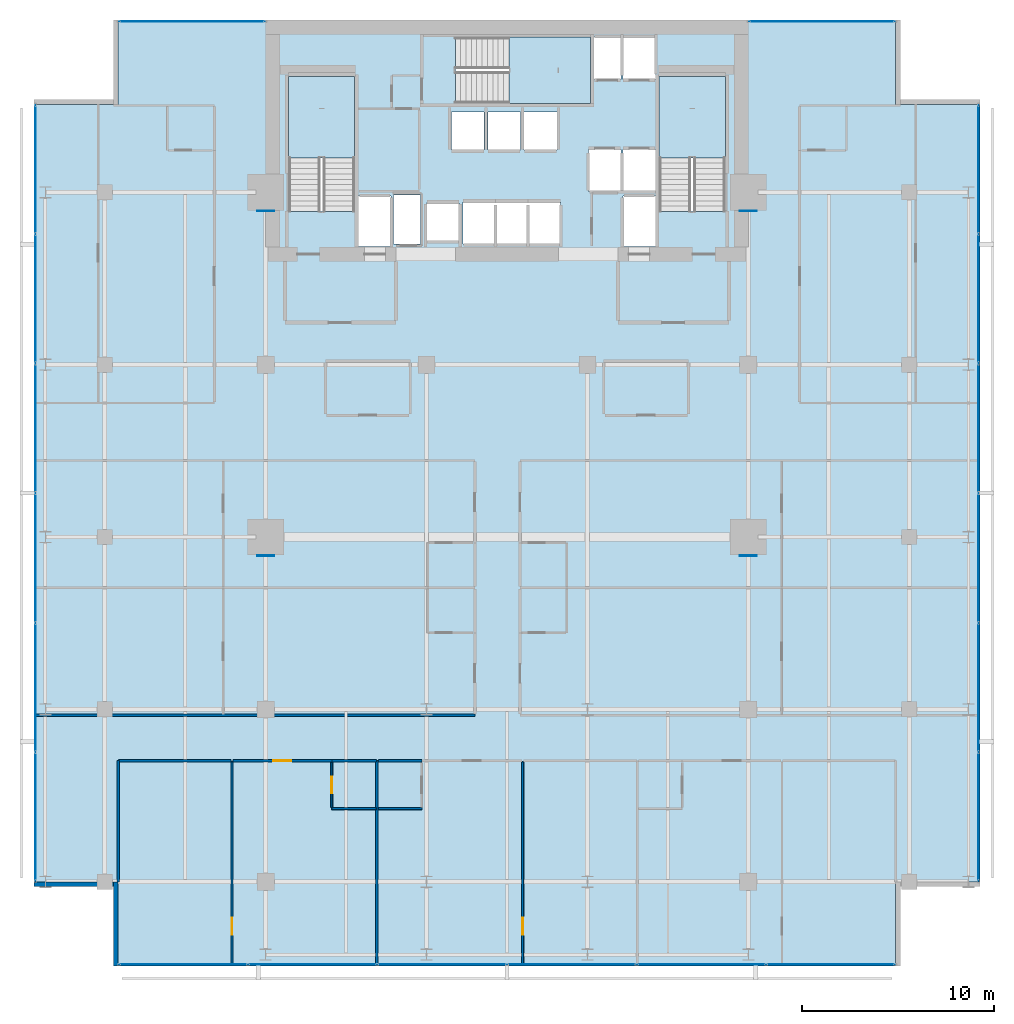
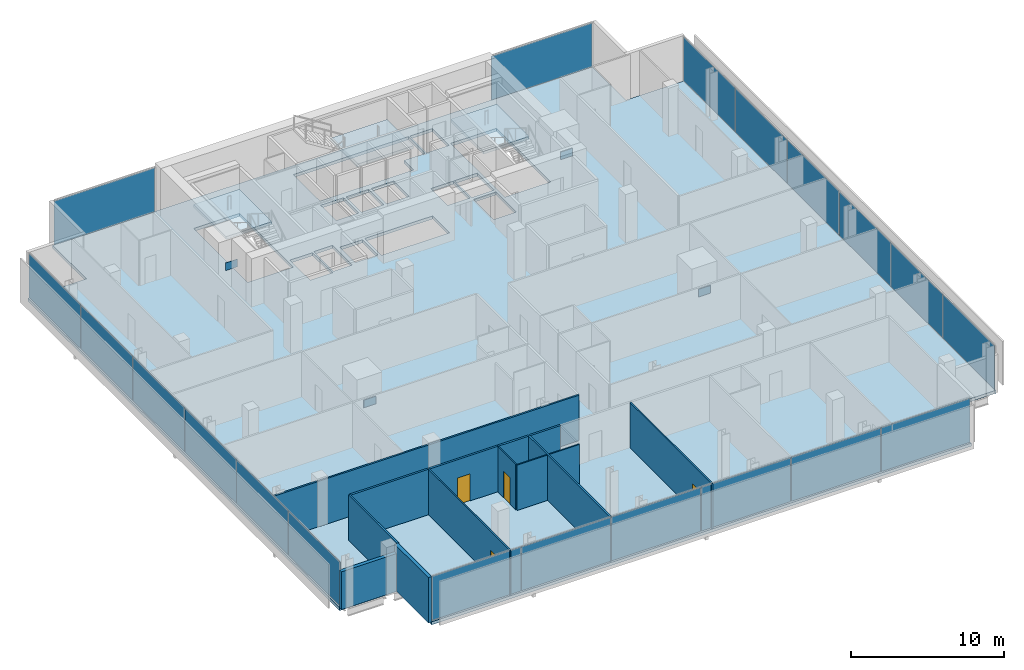
# One storey, part 26 of 32: 24 plates, 14 walls, 4 doors, 4 slabs, 4 openings, 8 elements without a shape of their own.
"""IFC4 building model written with IfcOpenShell, lengths in metres."""

from ifc_helpers import new_model, si_unit, direction, frame, frame_2d, origin, origin_2d, place, context, subcontext, project, spatial, polyline, rectangle, outline, extrude, material, layer, layer_set, type_object, element, fill, aggregate, save


model = new_model("IFC4")

# Units and contexts
model_context = context("Model", 3, precision=1e-05, world=origin(), true_north=direction((0.0, 1.0)))
body_context = subcontext(model_context, "Body", "Model", "MODEL_VIEW")
ifc_project = project(units=[si_unit("LENGTHUNIT", "METRE"), si_unit("AREAUNIT", "SQUARE_METRE"), si_unit("VOLUMEUNIT", "CUBIC_METRE"), si_unit("PLANEANGLEUNIT", "RADIAN"), si_unit("MASSUNIT", "GRAM", prefix="KILO")], contexts=[model_context])

# Site, building, storey
site_placement = place(None, origin())
site = spatial("IfcSite", under=ifc_project, at=site_placement, CompositionType="ELEMENT")
building_placement = place(site_placement, origin())
building = spatial("IfcBuilding", under=site, at=building_placement, Name="Maruvema Waterfront Hotel and Observation Tower", CompositionType="ELEMENT")
storey_placement = place(building_placement, frame((0.0, 0.0, 165.89990234375)))
storey = spatial("IfcBuildingStorey", under=building, at=storey_placement, Name="L40", CompositionType="ELEMENT", Elevation=165.89990234375)

# Slab
ifc_material_1 = material(Name="Concrete C50/60", Category="concrete")
ifc_layer_1 = layer(ifc_material_1, 0.239990234375, Name="Reinforced Concrete Floor Slab 240 mm")
ifc_layer_set_1 = layer_set([ifc_layer_1], Name="Concrete C50/60")
slab_type_1 = type_object("IfcSlabType", Name="Reinforced Concrete Floor Slab 240 mm", PredefinedType="FLOOR", material=ifc_layer_set_1)
slab_1_placement = place(storey_placement, frame((0.0, 0.0, -0.239990234375)))
element("IfcSlab", 1, at=slab_1_placement, inside=storey, type_object=slab_type_1, Name="L40 Structural Floor Slab", PredefinedType="FLOOR", context=body_context, shape_type="SweptSolid", body=[
    extrude(outline(polyline([(17.5, 4.60009765625), (58.10009765625, 4.60009765625), (58.10009765625, 9.0), (62.5, 9.0), (62.5, 49.60009765625), (58.10009765625, 49.60009765625), (58.10009765625, 54.0), (17.5, 54.0), (17.5, 49.60009765625), (13.10009765625, 49.60009765625), (13.10009765625, 9.0), (17.5, 9.0), (17.5, 4.60009765625)]), holes=[polyline([(26.39990234375, 44.00048828125), (26.39990234375, 51.050048828125), (29.85009765625, 51.050048828125), (29.85009765625, 44.00048828125), (26.39990234375, 44.00048828125)]), polyline([(30.050048828125, 44.800048828125), (31.75, 44.800048828125), (31.75, 42.169921875), (30.050048828125, 42.169921875), (30.050048828125, 44.800048828125)]), polyline([(31.8798828125, 44.860107421875), (33.280029296875, 44.860107421875), (33.280029296875, 42.2900390625), (31.8798828125, 42.2900390625), (31.8798828125, 44.860107421875)]), polyline([(33.60009765625, 44.449951171875), (35.300048828125, 44.449951171875), (35.300048828125, 42.449951171875), (33.60009765625, 42.449951171875), (33.60009765625, 44.449951171875)]), polyline([(34.89990234375, 49.199951171875), (36.60009765625, 49.199951171875), (36.60009765625, 47.199951171875), (34.89990234375, 47.199951171875), (34.89990234375, 49.199951171875)]), polyline([(36.800048828125, 49.199951171875), (38.5, 49.199951171875), (38.5, 47.199951171875), (36.800048828125, 47.199951171875), (36.800048828125, 49.199951171875)]), polyline([(35.5, 42.300048828125), (35.5, 44.5), (40.60009765625, 44.5), (40.60009765625, 42.300048828125), (35.5, 42.300048828125)]), polyline([(35.1005859375, 53.10009765625), (43.75, 53.10009765625), (43.75, 50.89990234375), (42.14990234375, 50.89990234375), (42.14990234375, 49.64990234375), (35.1005859375, 49.64990234375), (35.1005859375, 53.10009765625)]), polyline([(38.699951171875, 49.199951171875), (40.39990234375, 49.199951171875), (40.39990234375, 47.199951171875), (38.699951171875, 47.199951171875), (38.699951171875, 49.199951171875)]), polyline([(42.050048828125, 47.25), (43.75, 47.25), (43.75, 45.050048828125), (42.050048828125, 45.050048828125), (42.050048828125, 47.25)]), polyline([(43.85009765625, 44.800048828125), (45.550048828125, 44.800048828125), (45.550048828125, 42.169921875), (43.85009765625, 42.169921875), (43.85009765625, 44.800048828125)]), polyline([(43.85009765625, 47.25), (45.550048828125, 47.25), (45.550048828125, 45.050048828125), (43.85009765625, 45.050048828125), (43.85009765625, 47.25)]), polyline([(45.550048828125, 53.10009765625), (45.550048828125, 50.89990234375), (43.85009765625, 50.89990234375), (43.85009765625, 53.10009765625), (45.550048828125, 53.10009765625)]), polyline([(45.75, 44.00048828125), (45.75, 51.050048828125), (49.199951171875, 51.050048828125), (49.199951171875, 44.00048828125), (45.75, 44.00048828125)])]), origin(), (0.0, 0.0, 1.0), 0.239990234375),
])

# Curtain wall, plates
ifc_material_2 = material(Name="Anodised bronze aluminium and solar-control low-E IGU", Category="aluminium")
ifc_layer_2 = layer(ifc_material_2, 0.159912109375, Name="Zone 2 Amber Inner Thermal Curtain Wall System CW-03")
ifc_layer_set_2 = layer_set([ifc_layer_2], Name="Anodised bronze aluminium and solar-control low-E IGU")
curtain_wall_type = type_object("IfcCurtainWallType", Name="Zone 2 Amber Inner Thermal Curtain Wall System CW-03", PredefinedType="USERDEFINED", material=ifc_layer_set_2)
curtain_wall_1_placement = place(storey_placement, origin())
curtain_wall_1 = element("IfcCurtainWall", 2, at=curtain_wall_1_placement, inside=storey, type_object=curtain_wall_type, Name="L40 Curtain Wall CW-L40-S", ObjectType="UNITISED CURTAIN WALL", PredefinedType="USERDEFINED")
ifc_material_3 = material(Name="Laminated low-E solar-control double glazing", Category="glass")
ifc_layer_3 = layer(ifc_material_3, 0.035888671875, Name="Solar Control Double-Glazed Curtain Panel 36 mm")
ifc_layer_set_3 = layer_set([ifc_layer_3], Name="Laminated low-E solar-control double glazing")
plate_type_1 = type_object("IfcPlateType", Name="Solar Control Double-Glazed Curtain Panel 36 mm", PredefinedType="CURTAIN_PANEL", material=ifc_layer_set_3)
plate_1_placement = place(storey_placement, frame((20.8984375, 4.679931640625, 0.06005859375), z_axis=(0.0, 0.0, 1.0), x_axis=(1.0, 0.0, 0.0)))
plate_1 = element("IfcPlate", 3, at=plate_1_placement, type_object=plate_type_1, Name="CW-03 panel 1.1", PredefinedType="CURTAIN_PANEL", context=body_context, shape_type="SweptSolid", body=[
    extrude(rectangle(XDim=6.6767578125, YDim=0.028076171875, at=origin_2d()), origin(), (0.0, 0.0, 1.0), 3.489990234375),
])
plate_2_placement = place(storey_placement, frame((27.64990234375, 4.679931640625, 0.06005859375), z_axis=(0.0, 0.0, 1.0), x_axis=(1.0, 0.0, 0.0)))
plate_2 = element("IfcPlate", 4, at=plate_2_placement, type_object=plate_type_1, Name="CW-03 panel 2.1", PredefinedType="CURTAIN_PANEL", context=body_context, shape_type="SweptSolid", body=[
    extrude(rectangle(XDim=6.706787109375, YDim=0.028076171875, at=origin_2d()), origin(), (0.0, 0.0, 1.0), 3.489990234375),
])
plate_3_placement = place(storey_placement, frame((34.416748046875, 4.679931640625, 0.06005859375), z_axis=(0.0, 0.0, 1.0), x_axis=(1.0, 0.0, 0.0)))
plate_3 = element("IfcPlate", 5, at=plate_3_placement, type_object=plate_type_1, Name="CW-03 panel 3.1", PredefinedType="CURTAIN_PANEL", context=body_context, shape_type="SweptSolid", body=[
    extrude(rectangle(XDim=6.706787109375, YDim=0.028076171875, at=origin_2d()), origin(), (0.0, 0.0, 1.0), 3.489990234375),
])
plate_4_placement = place(storey_placement, frame((41.183349609375, 4.679931640625, 0.06005859375), z_axis=(0.0, 0.0, 1.0), x_axis=(1.0, 0.0, 0.0)))
plate_4 = element("IfcPlate", 6, at=plate_4_placement, type_object=plate_type_1, Name="CW-03 panel 4.1", PredefinedType="CURTAIN_PANEL", context=body_context, shape_type="SweptSolid", body=[
    extrude(rectangle(XDim=6.706787109375, YDim=0.028076171875, at=origin_2d()), origin(), (0.0, 0.0, 1.0), 3.489990234375),
])
plate_5_placement = place(storey_placement, frame((47.949951171875, 4.679931640625, 0.06005859375), z_axis=(0.0, 0.0, 1.0), x_axis=(1.0, 0.0, 0.0)))
plate_5 = element("IfcPlate", 7, at=plate_5_placement, type_object=plate_type_1, Name="CW-03 panel 5.1", PredefinedType="CURTAIN_PANEL", context=body_context, shape_type="SweptSolid", body=[
    extrude(rectangle(XDim=6.706787109375, YDim=0.028076171875, at=origin_2d()), origin(), (0.0, 0.0, 1.0), 3.489990234375),
])
plate_6_placement = place(storey_placement, frame((54.70166015625, 4.679931640625, 0.06005859375), z_axis=(0.0, 0.0, 1.0), x_axis=(1.0, 0.0, 0.0)))
plate_6 = element("IfcPlate", 8, at=plate_6_placement, type_object=plate_type_1, Name="CW-03 panel 6.1", PredefinedType="CURTAIN_PANEL", context=body_context, shape_type="SweptSolid", body=[
    extrude(rectangle(XDim=6.6767578125, YDim=0.028076171875, at=origin_2d()), origin(), (0.0, 0.0, 1.0), 3.489990234375),
])
aggregate(curtain_wall_1, [plate_1, plate_2, plate_3, plate_4, plate_5, plate_6])

curtain_wall_2_placement = place(storey_placement, origin())
curtain_wall_2 = element("IfcCurtainWall", 9, at=curtain_wall_2_placement, inside=storey, type_object=curtain_wall_type, Name="L40 Curtain Wall CW-L40-E", ObjectType="UNITISED CURTAIN WALL", PredefinedType="USERDEFINED")
plate_7_placement = place(storey_placement, frame((62.419921875, 12.3984375, 0.06005859375), z_axis=(0.0, 0.0, 1.0), x_axis=(0.0, 1.0, 0.0)))
plate_7 = element("IfcPlate", 10, at=plate_7_placement, type_object=plate_type_1, Name="CW-03 panel 1.1", PredefinedType="CURTAIN_PANEL", context=body_context, shape_type="SweptSolid", body=[
    extrude(rectangle(XDim=6.6767578125, YDim=0.028076171875, at=origin_2d()), origin(), (0.0, 0.0, 1.0), 3.489990234375),
])
plate_8_placement = place(storey_placement, frame((62.419921875, 19.14990234375, 0.06005859375), z_axis=(0.0, 0.0, 1.0), x_axis=(0.0, 1.0, 0.0)))
plate_8 = element("IfcPlate", 11, at=plate_8_placement, type_object=plate_type_1, Name="CW-03 panel 2.1", PredefinedType="CURTAIN_PANEL", context=body_context, shape_type="SweptSolid", body=[
    extrude(rectangle(XDim=6.706787109375, YDim=0.028076171875, at=origin_2d()), origin(), (0.0, 0.0, 1.0), 3.489990234375),
])
plate_9_placement = place(storey_placement, frame((62.419921875, 25.916748046875, 0.06005859375), z_axis=(0.0, 0.0, 1.0), x_axis=(0.0, 1.0, 0.0)))
plate_9 = element("IfcPlate", 12, at=plate_9_placement, type_object=plate_type_1, Name="CW-03 panel 3.1", PredefinedType="CURTAIN_PANEL", context=body_context, shape_type="SweptSolid", body=[
    extrude(rectangle(XDim=6.706787109375, YDim=0.028076171875, at=origin_2d()), origin(), (0.0, 0.0, 1.0), 3.489990234375),
])
plate_10_placement = place(storey_placement, frame((62.419921875, 32.683349609375, 0.06005859375), z_axis=(0.0, 0.0, 1.0), x_axis=(0.0, 1.0, 0.0)))
plate_10 = element("IfcPlate", 13, at=plate_10_placement, type_object=plate_type_1, Name="CW-03 panel 4.1", PredefinedType="CURTAIN_PANEL", context=body_context, shape_type="SweptSolid", body=[
    extrude(rectangle(XDim=6.706787109375, YDim=0.028076171875, at=origin_2d()), origin(), (0.0, 0.0, 1.0), 3.489990234375),
])
plate_11_placement = place(storey_placement, frame((62.419921875, 39.449951171875, 0.06005859375), z_axis=(0.0, 0.0, 1.0), x_axis=(0.0, 1.0, 0.0)))
plate_11 = element("IfcPlate", 14, at=plate_11_placement, type_object=plate_type_1, Name="CW-03 panel 5.1", PredefinedType="CURTAIN_PANEL", context=body_context, shape_type="SweptSolid", body=[
    extrude(rectangle(XDim=6.706787109375, YDim=0.028076171875, at=origin_2d()), origin(), (0.0, 0.0, 1.0), 3.489990234375),
])
plate_12_placement = place(storey_placement, frame((62.419921875, 46.20166015625, 0.06005859375), z_axis=(0.0, 0.0, 1.0), x_axis=(0.0, 1.0, 0.0)))
plate_12 = element("IfcPlate", 15, at=plate_12_placement, type_object=plate_type_1, Name="CW-03 panel 6.1", PredefinedType="CURTAIN_PANEL", context=body_context, shape_type="SweptSolid", body=[
    extrude(rectangle(XDim=6.6767578125, YDim=0.028076171875, at=origin_2d()), origin(), (0.0, 0.0, 1.0), 3.489990234375),
])
aggregate(curtain_wall_2, [plate_7, plate_8, plate_9, plate_10, plate_11, plate_12])

curtain_wall_3_placement = place(storey_placement, origin())
curtain_wall_3 = element("IfcCurtainWall", 16, at=curtain_wall_3_placement, inside=storey, type_object=curtain_wall_type, Name="L40 Curtain Wall CW-L40-W", ObjectType="UNITISED CURTAIN WALL", PredefinedType="USERDEFINED")
plate_13_placement = place(storey_placement, frame((13.179931640625, 46.20166015625, 0.06005859375), z_axis=(0.0, 0.0, 1.0), x_axis=(0.0, -1.0, 0.0)))
plate_13 = element("IfcPlate", 17, at=plate_13_placement, type_object=plate_type_1, Name="CW-03 panel 1.1", PredefinedType="CURTAIN_PANEL", context=body_context, shape_type="SweptSolid", body=[
    extrude(rectangle(XDim=6.6767578125, YDim=0.028076171875, at=origin_2d()), origin(), (0.0, 0.0, 1.0), 3.489990234375),
])
plate_14_placement = place(storey_placement, frame((13.179931640625, 39.449951171875, 0.06005859375), z_axis=(0.0, 0.0, 1.0), x_axis=(0.0, -1.0, 0.0)))
plate_14 = element("IfcPlate", 18, at=plate_14_placement, type_object=plate_type_1, Name="CW-03 panel 2.1", PredefinedType="CURTAIN_PANEL", context=body_context, shape_type="SweptSolid", body=[
    extrude(rectangle(XDim=6.706787109375, YDim=0.028076171875, at=origin_2d()), origin(), (0.0, 0.0, 1.0), 3.489990234375),
])
plate_15_placement = place(storey_placement, frame((13.179931640625, 32.683349609375, 0.06005859375), z_axis=(0.0, 0.0, 1.0), x_axis=(0.0, -1.0, 0.0)))
plate_15 = element("IfcPlate", 19, at=plate_15_placement, type_object=plate_type_1, Name="CW-03 panel 3.1", PredefinedType="CURTAIN_PANEL", context=body_context, shape_type="SweptSolid", body=[
    extrude(rectangle(XDim=6.706787109375, YDim=0.028076171875, at=origin_2d()), origin(), (0.0, 0.0, 1.0), 3.489990234375),
])
plate_16_placement = place(storey_placement, frame((13.179931640625, 25.916748046875, 0.06005859375), z_axis=(0.0, 0.0, 1.0), x_axis=(0.0, -1.0, 0.0)))
plate_16 = element("IfcPlate", 20, at=plate_16_placement, type_object=plate_type_1, Name="CW-03 panel 4.1", PredefinedType="CURTAIN_PANEL", context=body_context, shape_type="SweptSolid", body=[
    extrude(rectangle(XDim=6.706787109375, YDim=0.028076171875, at=origin_2d()), origin(), (0.0, 0.0, 1.0), 3.489990234375),
])
plate_17_placement = place(storey_placement, frame((13.179931640625, 19.14990234375, 0.06005859375), z_axis=(0.0, 0.0, 1.0), x_axis=(0.0, -1.0, 0.0)))
plate_17 = element("IfcPlate", 21, at=plate_17_placement, type_object=plate_type_1, Name="CW-03 panel 5.1", PredefinedType="CURTAIN_PANEL", context=body_context, shape_type="SweptSolid", body=[
    extrude(rectangle(XDim=6.706787109375, YDim=0.028076171875, at=origin_2d()), origin(), (0.0, 0.0, 1.0), 3.489990234375),
])
plate_18_placement = place(storey_placement, frame((13.179931640625, 12.3984375, 0.06005859375), z_axis=(0.0, 0.0, 1.0), x_axis=(0.0, -1.0, 0.0)))
plate_18 = element("IfcPlate", 22, at=plate_18_placement, type_object=plate_type_1, Name="CW-03 panel 6.1", PredefinedType="CURTAIN_PANEL", context=body_context, shape_type="SweptSolid", body=[
    extrude(rectangle(XDim=6.6767578125, YDim=0.028076171875, at=origin_2d()), origin(), (0.0, 0.0, 1.0), 3.489990234375),
])
aggregate(curtain_wall_3, [plate_13, plate_14, plate_15, plate_16, plate_17, plate_18])

# Curtain wall, plate
curtain_wall_4_placement = place(storey_placement, origin())
curtain_wall_4 = element("IfcCurtainWall", 23, at=curtain_wall_4_placement, inside=storey, type_object=curtain_wall_type, Name="L40 Curtain Wall CW-L40-NW", ObjectType="UNITISED CURTAIN WALL", PredefinedType="USERDEFINED")
plate_19_placement = place(storey_placement, frame((21.35009765625, 53.919921875, 0.06005859375), z_axis=(0.0, 0.0, 1.0), x_axis=(-1.0, 0.0, 0.0)))
plate_19 = element("IfcPlate", 24, at=plate_19_placement, type_object=plate_type_1, Name="CW-03 panel 1.1", PredefinedType="CURTAIN_PANEL", context=body_context, shape_type="SweptSolid", body=[
    extrude(rectangle(XDim=7.580078125, YDim=0.028076171875, at=origin_2d()), origin(), (0.0, 0.0, 1.0), 3.489990234375),
])
aggregate(curtain_wall_4, [plate_19])

curtain_wall_5_placement = place(storey_placement, origin())
curtain_wall_5 = element("IfcCurtainWall", 25, at=curtain_wall_5_placement, inside=storey, type_object=curtain_wall_type, Name="L40 Curtain Wall CW-L40-NE", ObjectType="UNITISED CURTAIN WALL", PredefinedType="USERDEFINED")
plate_20_placement = place(storey_placement, frame((54.25, 53.919921875, 0.06005859375), z_axis=(0.0, 0.0, 1.0), x_axis=(-1.0, 0.0, 0.0)))
plate_20 = element("IfcPlate", 26, at=plate_20_placement, type_object=plate_type_1, Name="CW-03 panel 1.1", PredefinedType="CURTAIN_PANEL", context=body_context, shape_type="SweptSolid", body=[
    extrude(rectangle(XDim=7.580078125, YDim=0.028076171875, at=origin_2d()), origin(), (0.0, 0.0, 1.0), 3.489990234375),
])
aggregate(curtain_wall_5, [plate_20])

# Stair, slab
ifc_material_4 = material(Name="Concrete C50/60", Category="concrete")
stair_type = type_object("IfcStairType", Name="Dogleg Exit Stair 1650 mm (22R x 175.0 mm)", PredefinedType="HALF_TURN_STAIR", material=ifc_material_4)
stair_1_placement = place(storey_placement, origin())
stair_1 = element("IfcStair", 27, at=stair_1_placement, inside=storey, type_object=stair_type, Name="L40 ST-01", PredefinedType="HALF_TURN_STAIR")
ifc_material_5 = material(Name="Concrete C50/60", Category="concrete")
ifc_layer_4 = layer(ifc_material_5, 0.219970703125, Name="Stair Concrete Landing Slab 220 mm")
ifc_layer_set_4 = layer_set([ifc_layer_4], Name="Concrete C50/60")
slab_type_2 = type_object("IfcSlabType", Name="Stair Concrete Landing Slab 220 mm", PredefinedType="LANDING", material=ifc_layer_set_4)
slab_2_placement = place(storey_placement, frame((0.0, 0.0, 1.705078125)))
slab_2 = element("IfcSlab", 28, at=slab_2_placement, type_object=slab_type_2, Name="ST-01 landing 1", PredefinedType="LANDING", context=body_context, shape_type="SweptSolid", body=[
    extrude(outline(polyline([(29.85009765625, 46.800048828125), (29.85009765625, 51.050048828125), (26.39990234375, 51.050048828125), (26.39990234375, 46.800048828125), (29.85009765625, 46.800048828125)])), origin(), (0.0, 0.0, 1.0), 0.219970703125),
])
aggregate(stair_1, [slab_2])

stair_2_placement = place(storey_placement, origin())
stair_2 = element("IfcStair", 29, at=stair_2_placement, inside=storey, type_object=stair_type, Name="L40 ST-02", PredefinedType="HALF_TURN_STAIR")
slab_3_placement = place(storey_placement, frame((0.0, 0.0, 1.705078125)))
slab_3 = element("IfcSlab", 30, at=slab_3_placement, type_object=slab_type_2, Name="ST-02 landing 1", PredefinedType="LANDING", context=body_context, shape_type="SweptSolid", body=[
    extrude(outline(polyline([(37.89990234375, 49.64990234375), (42.14990234375, 49.64990234375), (42.14990234375, 53.10009765625), (37.89990234375, 53.10009765625), (37.89990234375, 49.64990234375)])), origin(), (0.0, 0.0, 1.0), 0.219970703125),
])
aggregate(stair_2, [slab_3])

stair_3_placement = place(storey_placement, origin())
stair_3 = element("IfcStair", 31, at=stair_3_placement, inside=storey, type_object=stair_type, Name="L40 ST-03", PredefinedType="HALF_TURN_STAIR")
slab_4_placement = place(storey_placement, frame((0.0, 0.0, 1.705078125)))
slab_4 = element("IfcSlab", 32, at=slab_4_placement, type_object=slab_type_2, Name="ST-03 landing 1", PredefinedType="LANDING", context=body_context, shape_type="SweptSolid", body=[
    extrude(outline(polyline([(49.199951171875, 46.800048828125), (49.199951171875, 51.050048828125), (45.75, 51.050048828125), (45.75, 46.800048828125), (49.199951171875, 46.800048828125)])), origin(), (0.0, 0.0, 1.0), 0.219970703125),
])
aggregate(stair_3, [slab_4])

# Plates
ifc_material_6 = material(Name="Steel ABNT NBR 7007 AR 415 (ASTM A572 Grade 50)", Category="steel")
ifc_layer_5 = layer(ifc_material_6, 0.0400390625, Name="Structural Truss Node Gusset Plate 40 mm")
ifc_layer_set_5 = layer_set([ifc_layer_5], Name="Steel ABNT NBR 7007 AR 415 (ASTM A572 Grade 50)")
plate_type_2 = type_object("IfcPlateType", Name="Structural Truss Node Gusset Plate 40 mm", PredefinedType="USERDEFINED", material=ifc_layer_set_5)
for number, where, z_axis, x_axis, name in (
    (33, (25.199951171875, 26.030029296875, 1.5), (0.0, 0.0, 1.0), (1.0, 0.0, 0.0), "L40 MC-01 Moment Frame Continuity Gusset Plate"),
    (34, (50.39990234375, 26.030029296875, 1.5), (0.0, 0.0, 1.0), (1.0, 0.0, 0.0), "L40 MC-02 Moment Frame Continuity Gusset Plate"),
    (35, (25.199951171875, 44.030029296875, 1.5), (0.0, 0.0, 1.0), (1.0, 0.0, 0.0), "L40 MC-03 Moment Frame Continuity Gusset Plate"),
    (36, (50.39990234375, 44.030029296875, 1.5), (0.0, 0.0, 1.0), (1.0, 0.0, 0.0), "L40 MC-04 Moment Frame Continuity Gusset Plate"),
):
    element("IfcPlate", number, at=place(storey_placement, frame(where, z_axis=z_axis, x_axis=x_axis)), inside=storey, type_object=plate_type_2, Name=name, ObjectType="GUSSET_PLATE", PredefinedType="USERDEFINED", context=body_context, shape_type="SweptSolid", body=[
        extrude(rectangle(XDim=0.89990234375, YDim=0.0400390625, at=origin_2d()), origin(), (0.0, 0.0, 1.0), 0.60009765625),
    ])

# Walls
ifc_material_7 = material(Name="Twin-stud acoustic gypsum drywall", Category="gypsum")
ifc_layer_6 = layer(ifc_material_7, 0.14990234375, Name="Acoustic Corridor and Suite Demising Wall 150 mm")
ifc_layer_set_6 = layer_set([ifc_layer_6], Name="Twin-stud acoustic gypsum drywall")
wall_type_1 = type_object("IfcWallType", Name="Acoustic Corridor and Suite Demising Wall 150 mm", PredefinedType="PARTITIONING", material=ifc_layer_set_6)
wall_1_placement = place(storey_placement, frame((28.64990234375, 15.320068359375, 0.0), z_axis=(0.0, 0.0, 1.0), x_axis=(1.0, 0.0, 0.0)))
element("IfcWall", 37, at=wall_1_placement, inside=storey, type_object=wall_type_1, Name="L40 Bath L40-S1 Back Wall 027", PredefinedType="PARTITIONING", context=body_context, shape_type="SweptSolid", body=[
    extrude(rectangle(XDim=2.330078125, YDim=0.14990234375, at=frame_2d((1.1650390625, 0.0))), origin(), (0.0, 0.0, 1.0), 3.610107421875),
])
wall_2_placement = place(storey_placement, frame((17.52001953125, 15.320068359375, 0.0), z_axis=(0.0, 0.0, 1.0), x_axis=(1.0, 0.0, 0.0)))
element("IfcWall", 38, at=wall_2_placement, inside=storey, type_object=wall_type_1, Name="L40 Bedroom L40-S1 Back Wall 030", PredefinedType="PARTITIONING", context=body_context, shape_type="SweptSolid", body=[
    extrude(rectangle(XDim=5.8798828125, YDim=0.14990234375, at=frame_2d((2.93994140625, 0.0))), origin(), (0.0, 0.0, 1.0), 3.610107421875),
])

# Wall, opening, door
wall_3_placement = place(storey_placement, frame((23.47998046875, 15.320068359375, 0.0), z_axis=(0.0, 0.0, 1.0), x_axis=(1.0, 0.0, 0.0)))
wall_3 = element("IfcWall", 39, at=wall_3_placement, inside=storey, type_object=wall_type_1, Name="L40 Unit L40-S1 Corridor Wall 031", PredefinedType="PARTITIONING", context=body_context, shape_type="SweptSolid", body=[
    extrude(rectangle(XDim=5.169921875, YDim=0.14990234375, at=frame_2d((2.5849609375, 0.0))), origin(), (0.0, 0.0, 1.0), 3.610107421875),
])
opening_1_placement = place(wall_3_placement, frame((2.110107421875, 0.0, 0.0)))
opening_1 = element("IfcOpeningElement", 40, at=opening_1_placement, cuts=wall_3, Name="Opening DR-095", PredefinedType="OPENING", context=body_context, shape_type="SweptSolid", body=[
    extrude(rectangle(XDim=0.949951171875, YDim=2.14990234375, at=frame_2d((0.47509765625, 1.074951171875))), frame((0.0, 0.0849609375, 0.0), z_axis=(0.0, -1.0, 0.0), x_axis=(1.0, 0.0, 0.0)), (0.0, 0.0, 1.0), 0.169921875),
])
ifc_material_8 = material(Name="Acoustic solid-core hardwood timber leaf", Category="wood")
door_type_1 = type_object("IfcDoorType", Name="Guestroom Entrance Fire Door 950x2150 mm", OperationType="NOTDEFINED", PredefinedType="DOOR", material=ifc_material_8)
door_1_placement = place(opening_1_placement, frame((0.949951171875, 0.0, 0.0), z_axis=(0.0, 0.0, 1.0), x_axis=(-1.0, 0.0, 0.0)))
door_1 = element("IfcDoor", 41, at=door_1_placement, inside=storey, type_object=door_type_1, Name="L40 Unit L40-S1 Entrance Door", OperationType="SINGLE_SWING_RIGHT", OverallHeight=2.14990234375, OverallWidth=0.949951171875, PredefinedType="DOOR", context=body_context, shape_type="SweptSolid", body=[
    extrude(rectangle(XDim=0.949951171875, YDim=2.14990234375, at=frame_2d((0.47509765625, 1.074951171875))), frame((0.0, 0.02490234375, 0.0), z_axis=(0.0, -1.0, 0.0), x_axis=(1.0, 0.0, 0.0)), (0.0, 0.0, 1.0), 0.050048828125),
])
fill(opening_1, door_1)

# Walls
wall_4_placement = place(storey_placement, frame((31.080078125, 15.320068359375, 0.0), z_axis=(0.0, 0.0, 1.0), x_axis=(1.0, 0.0, 0.0)))
element("IfcWall", 42, at=wall_4_placement, inside=storey, type_object=wall_type_1, Name="L40 Bath L40-S2 Back Wall 034", PredefinedType="PARTITIONING", context=body_context, shape_type="SweptSolid", body=[
    extrude(rectangle(XDim=2.27001953125, YDim=0.14990234375, at=frame_2d((1.135009765625, 0.0))), origin(), (0.0, 0.0, 1.0), 3.610107421875),
])
ifc_material_9 = material(Name="Moisture-resistant cement-board drywall", Category="gypsum")
ifc_layer_7 = layer(ifc_material_9, 0.10009765625, Name="En-Suite Moisture-Resistant Partition 100 mm")
ifc_layer_set_7 = layer_set([ifc_layer_7], Name="Moisture-resistant cement-board drywall")
wall_type_2 = type_object("IfcWallType", Name="En-Suite Moisture-Resistant Partition 100 mm", PredefinedType="PARTITIONING", material=ifc_layer_set_7)
wall_5_placement = place(storey_placement, frame((28.64990234375, 12.820068359375, 0.0), z_axis=(0.0, 0.0, 1.0), x_axis=(1.0, 0.0, 0.0)))
element("IfcWall", 43, at=wall_5_placement, inside=storey, type_object=wall_type_2, Name="L40 En-Suite L40-S1 South 028", PredefinedType="PARTITIONING", context=body_context, shape_type="SweptSolid", body=[
    extrude(rectangle(XDim=2.31005859375, YDim=0.10009765625, at=frame_2d((1.155029296875, 0.0))), origin(), (0.0, 0.0, 1.0), 3.610107421875),
])

# Wall, opening, door
wall_6_placement = place(storey_placement, frame((28.64990234375, 12.8798828125, 0.0), z_axis=(0.0, 0.0, 1.0), x_axis=(0.0, 1.0, 0.0)))
wall_6 = element("IfcWall", 44, at=wall_6_placement, inside=storey, type_object=wall_type_2, Name="L40 En-Suite L40-S1 West 029", PredefinedType="PARTITIONING", context=body_context, shape_type="SweptSolid", body=[
    extrude(rectangle(XDim=2.340087890625, YDim=0.10009765625, at=frame_2d((1.169921875, 0.0))), origin(), (0.0, 0.0, 1.0), 3.610107421875),
])
opening_2_placement = place(wall_6_placement, frame((0.7451171875, 0.0, 0.0)))
opening_2 = element("IfcOpeningElement", 45, at=opening_2_placement, cuts=wall_6, Name="Opening DR-085", PredefinedType="OPENING", context=body_context, shape_type="SweptSolid", body=[
    extrude(rectangle(XDim=0.85009765625, YDim=2.10009765625, at=frame_2d((0.425048828125, 1.050048828125))), frame((0.0, 0.06005859375, 0.0), z_axis=(0.0, -1.0, 0.0), x_axis=(1.0, 0.0, 0.0)), (0.0, 0.0, 1.0), 0.1201171875),
])
ifc_material_10 = material(Name="Moisture-resistant solid timber leaf", Category="wood")
door_type_2 = type_object("IfcDoorType", Name="En-Suite Bathroom Door 850x2100 mm", OperationType="NOTDEFINED", PredefinedType="DOOR", material=ifc_material_10)
door_2_placement = place(opening_2_placement, origin())
door_2 = element("IfcDoor", 46, at=door_2_placement, inside=storey, type_object=door_type_2, Name="L40 En-Suite L40-S1 Door", OperationType="SINGLE_SWING_LEFT", OverallHeight=2.10009765625, OverallWidth=0.85009765625, PredefinedType="DOOR", context=body_context, shape_type="SweptSolid", body=[
    extrude(rectangle(XDim=0.85009765625, YDim=2.10009765625, at=frame_2d((0.425048828125, 1.050048828125))), frame((0.0, 0.02490234375, 0.0), z_axis=(0.0, -1.0, 0.0), x_axis=(1.0, 0.0, 0.0)), (0.0, 0.0, 1.0), 0.050048828125),
])
fill(opening_2, door_2)

wall_7_placement = place(storey_placement, frame((23.43994140625, 4.6298828125, 0.0), z_axis=(0.0, 0.0, 1.0), x_axis=(0.0, 1.0, 0.0)))
wall_7 = element("IfcWall", 47, at=wall_7_placement, inside=storey, type_object=wall_type_2, Name="L40 Suite L40-S1 Split 032", PredefinedType="PARTITIONING", context=body_context, shape_type="SweptSolid", body=[
    extrude(rectangle(XDim=10.630126953125, YDim=0.10009765625, at=frame_2d((5.31494140625, 0.0))), origin(), (0.0, 0.0, 1.0), 3.610107421875),
])
opening_3_placement = place(wall_7_placement, frame((1.60009765625, 0.0, 0.0)))
opening_3 = element("IfcOpeningElement", 48, at=opening_3_placement, cuts=wall_7, Name="Opening DR-090", PredefinedType="OPENING", context=body_context, shape_type="SweptSolid", body=[
    extrude(rectangle(XDim=0.89990234375, YDim=2.10009765625, at=frame_2d((0.449951171875, 1.050048828125))), frame((0.0, 0.06005859375, 0.0), z_axis=(0.0, -1.0, 0.0), x_axis=(1.0, 0.0, 0.0)), (0.0, 0.0, 1.0), 0.1201171875),
])
ifc_material_11 = material(Name="Solid-core lacquered timber leaf", Category="wood")
door_type_3 = type_object("IfcDoorType", Name="Accessible Toilet and Room Door 900x2100 mm", OperationType="NOTDEFINED", PredefinedType="DOOR", material=ifc_material_11)
door_3_placement = place(opening_3_placement, frame((0.89990234375, 0.0, 0.0), z_axis=(0.0, 0.0, 1.0), x_axis=(-1.0, 0.0, 0.0)))
door_3 = element("IfcDoor", 49, at=door_3_placement, inside=storey, type_object=door_type_3, Name="L40 Suite L40-S1 Bedroom Door", OperationType="SINGLE_SWING_LEFT", OverallHeight=2.10009765625, OverallWidth=0.89990234375, PredefinedType="DOOR", context=body_context, shape_type="SweptSolid", body=[
    extrude(rectangle(XDim=0.89990234375, YDim=2.10009765625, at=frame_2d((0.449951171875, 1.050048828125))), frame((0.0, 0.02490234375, 0.0), z_axis=(0.0, -1.0, 0.0), x_axis=(1.0, 0.0, 0.0)), (0.0, 0.0, 1.0), 0.050048828125),
])
fill(opening_3, door_3)

# Wall
wall_8_placement = place(storey_placement, frame((31.080078125, 12.820068359375, 0.0), z_axis=(0.0, 0.0, 1.0), x_axis=(1.0, 0.0, 0.0)))
element("IfcWall", 50, at=wall_8_placement, inside=storey, type_object=wall_type_2, Name="L40 En-Suite L40-S2 South 035", PredefinedType="PARTITIONING", context=body_context, shape_type="SweptSolid", body=[
    extrude(rectangle(XDim=2.27001953125, YDim=0.10009765625, at=frame_2d((1.135009765625, 0.0))), origin(), (0.0, 0.0, 1.0), 3.610107421875),
])

# Wall, opening, door
wall_9_placement = place(storey_placement, frame((38.615966796875, 4.6298828125, 0.0), z_axis=(0.0, 0.0, 1.0), x_axis=(0.0, 1.0, 0.0)))
wall_9 = element("IfcWall", 51, at=wall_9_placement, inside=storey, type_object=wall_type_2, Name="L40 Suite L40-S2 Split 039", PredefinedType="PARTITIONING", context=body_context, shape_type="SweptSolid", body=[
    extrude(rectangle(XDim=10.630126953125, YDim=0.10009765625, at=frame_2d((5.31494140625, 0.0))), origin(), (0.0, 0.0, 1.0), 3.610107421875),
])
opening_4_placement = place(wall_9_placement, frame((1.60009765625, 0.0, 0.0)))
opening_4 = element("IfcOpeningElement", 52, at=opening_4_placement, cuts=wall_9, Name="Opening DR-090", PredefinedType="OPENING", context=body_context, shape_type="SweptSolid", body=[
    extrude(rectangle(XDim=0.89990234375, YDim=2.10009765625, at=frame_2d((0.449951171875, 1.050048828125))), frame((0.0, 0.06005859375, 0.0), z_axis=(0.0, -1.0, 0.0), x_axis=(1.0, 0.0, 0.0)), (0.0, 0.0, 1.0), 0.1201171875),
])
door_4_placement = place(opening_4_placement, origin())
door_4 = element("IfcDoor", 53, at=door_4_placement, inside=storey, type_object=door_type_3, Name="L40 Suite L40-S2 Bedroom Door", OperationType="SINGLE_SWING_RIGHT", OverallHeight=2.10009765625, OverallWidth=0.89990234375, PredefinedType="DOOR", context=body_context, shape_type="SweptSolid", body=[
    extrude(rectangle(XDim=0.89990234375, YDim=2.10009765625, at=frame_2d((0.449951171875, 1.050048828125))), frame((0.0, 0.02490234375, 0.0), z_axis=(0.0, -1.0, 0.0), x_axis=(1.0, 0.0, 0.0)), (0.0, 0.0, 1.0), 0.050048828125),
])
fill(opening_4, door_4)

# Walls
ifc_material_12 = material(Name="Precast concrete C45/55 with honed Pernambuco granite facing", Category="masonry")
ifc_layer_8 = layer(ifc_material_12, 0.260009765625, Name="Exterior Granite Clad Spandrel and Pier Wall 260 mm")
ifc_layer_set_8 = layer_set([ifc_layer_8], Name="Precast concrete C45/55 with honed Pernambuco granite facing")
wall_type_3 = type_object("IfcWallType", Name="Exterior Granite Clad Spandrel and Pier Wall 260 mm", PredefinedType="SOLIDWALL", material=ifc_layer_set_8)
wall_10_placement = place(storey_placement, frame((17.3701171875, 4.60009765625, 0.0), z_axis=(0.0, 0.0, 1.0), x_axis=(0.0, 1.0, 0.0)))
element("IfcWall", 54, at=wall_10_placement, inside=storey, type_object=wall_type_3, Name="L40 Corner Notch Granite Pier Wall SW1", PredefinedType="SOLIDWALL", context=body_context, shape_type="SweptSolid", body=[
    extrude(rectangle(XDim=4.39990234375, YDim=0.260009765625, at=frame_2d((2.199951171875, 0.0))), origin(), (0.0, 0.0, 1.0), 3.610107421875),
])
wall_11_placement = place(storey_placement, frame((17.5, 8.8701171875, 0.0), z_axis=(0.0, 0.0, 1.0), x_axis=(-1.0, 0.0, 0.0)))
element("IfcWall", 55, at=wall_11_placement, inside=storey, type_object=wall_type_3, Name="L40 Corner Notch Granite Pier Wall SW2", PredefinedType="SOLIDWALL", context=body_context, shape_type="SweptSolid", body=[
    extrude(rectangle(XDim=4.39990234375, YDim=0.260009765625, at=frame_2d((2.199951171875, 0.0))), origin(), (0.0, 0.0, 1.0), 3.007080078125),
])
ifc_material_13 = material(Name="Acoustic gypsum plasterboard drywall", Category="gypsum")
ifc_layer_9 = layer(ifc_material_13, 0.125, Name="Guestroom Acoustic Demising Wall 125 mm")
ifc_layer_set_9 = layer_set([ifc_layer_9], Name="Acoustic gypsum plasterboard drywall")
wall_type_4 = type_object("IfcWallType", Name="Guestroom Acoustic Demising Wall 125 mm", PredefinedType="PARTITIONING", material=ifc_layer_set_9)
wall_12_placement = place(storey_placement, frame((17.5, 9.0, 0.0), z_axis=(0.0, 0.0, 1.0), x_axis=(0.0, 1.0, 0.0)))
element("IfcWall", 56, at=wall_12_placement, inside=storey, type_object=wall_type_4, Name="L40 Z2 S West End 025", PredefinedType="PARTITIONING", context=body_context, shape_type="SweptSolid", body=[
    extrude(rectangle(XDim=6.320068359375, YDim=0.125, at=frame_2d((3.16015625, 0.0))), origin(), (0.0, 0.0, 1.0), 3.610107421875),
])
wall_13_placement = place(storey_placement, frame((31.0, 4.699951171875, 0.0), z_axis=(0.0, 0.0, 1.0), x_axis=(0.0, 1.0, 0.0)))
element("IfcWall", 57, at=wall_13_placement, inside=storey, type_object=wall_type_4, Name="L40 Z2 S Demising 2 033", PredefinedType="PARTITIONING", context=body_context, shape_type="SweptSolid", body=[
    extrude(rectangle(XDim=10.6201171875, YDim=0.125, at=frame_2d((5.31005859375, 0.0))), origin(), (0.0, 0.0, 1.0), 3.610107421875),
])
wall_14_placement = place(storey_placement, frame((13.199951171875, 17.699951171875, 0.0), z_axis=(0.0, 0.0, 1.0), x_axis=(1.0, 0.0, 0.0)))
element("IfcWall", 58, at=wall_14_placement, inside=storey, type_object=wall_type_4, Name="L40 Z2 W Bot End 047", PredefinedType="PARTITIONING", context=body_context, shape_type="SweptSolid", body=[
    extrude(rectangle(XDim=22.920166015625, YDim=0.125, at=frame_2d((11.4599609375, 0.0))), origin(), (0.0, 0.0, 1.0), 3.610107421875),
])

save(model, "model.ifc")
